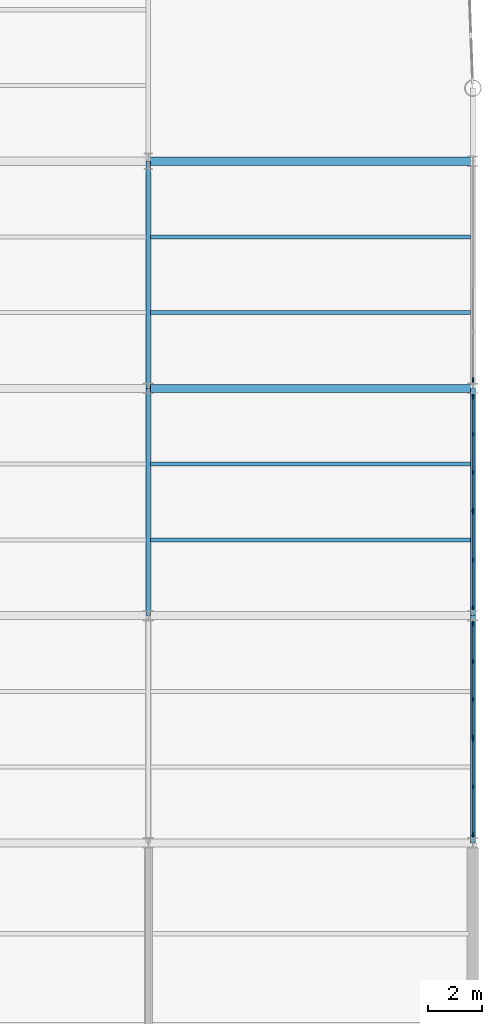
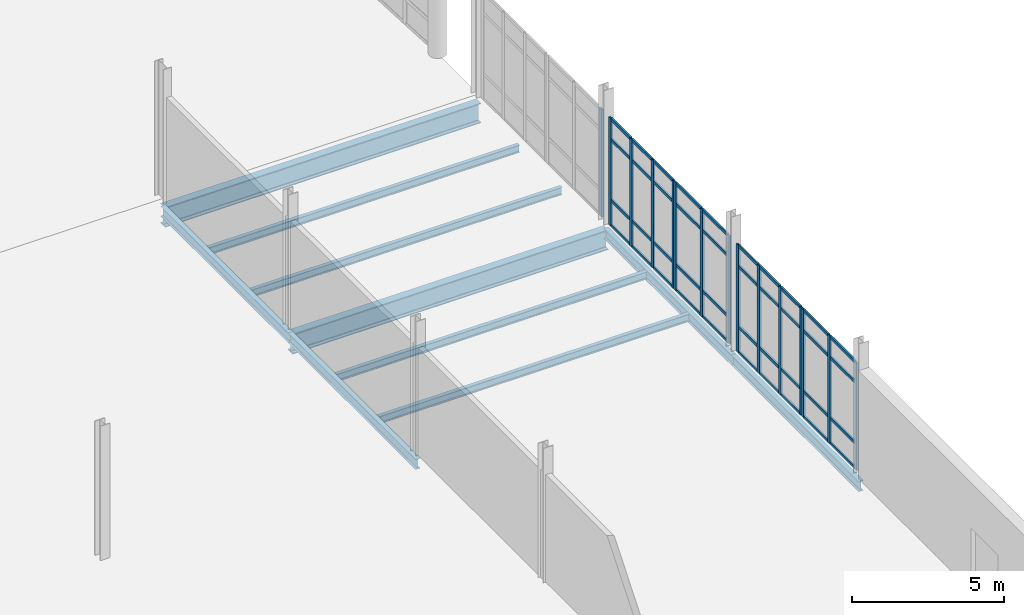
# One storey, part 69 of 111: 55 members, 10 beams, 5 elements without a shape of their own.
"""IFC4 building model written with IfcOpenShell, lengths in metres."""

import ifcopenshell
import ifcopenshell.guid

model = None  # the IFC model being written
_history = None  # IfcOwnerHistory: only IFC2X3 demands one
_inside = {}  # id of a spatial element -> (the spatial element, [elements in it])
_under = {}  # id of a project, library or spatial element -> (it, [spatial elements below it])
_declared = {}  # id of a project -> (the project, [libraries it declares])
_typed = {}  # id of a type object -> (the type object, [elements of that type])
_made_of = {}  # id of a material, layer set ... -> (it, [elements and type objects made of it])


def new_model(schema):
    """Start an empty IFC model of exactly this schema.

    Asked for "IFC4X3", IfcOpenShell would pick the latest addendum, in which some entities
    have other attributes; the version numbers below select the first issue.
    IFC2X3 requires an IfcOwnerHistory on every rooted entity: one is made here for all.
    """
    global model, _history
    if schema == "IFC4X3":
        model = ifcopenshell.file(schema_version=(4, 3, 0, 0))
    else:
        model = ifcopenshell.file(schema=schema)
    _inside.clear()
    _under.clear()
    _declared.clear()
    _typed.clear()
    _made_of.clear()
    _history = None
    if model.schema == "IFC2X3":
        org = make("IfcOrganization", Name="unknown")
        user = make(
            "IfcPersonAndOrganization",
            ThePerson=make("IfcPerson", FamilyName="unknown"),
            TheOrganization=org,
        )
        app = make(
            "IfcApplication",
            ApplicationDeveloper=org,
            Version="unknown",
            ApplicationFullName="unknown",
            ApplicationIdentifier="unknown",
        )
        _history = make(
            "IfcOwnerHistory",
            OwningUser=user,
            OwningApplication=app,
            ChangeAction="ADDED",
            CreationDate=0,
        )
    return model


def make(cls, **values):
    """One entity of the class cls with the attributes given. An attribute that is None is left unset."""
    return model.create_entity(
        cls, **{name: value for name, value in values.items() if value is not None}
    )


def rooted(cls, **values):
    """An entity with a GlobalId (a new one), such as an element, a storey or a relation."""
    return make(cls, GlobalId=ifcopenshell.guid.new(), OwnerHistory=_history, **values)


def si_unit(unit_type, name, prefix=None):
    """IfcSIUnit, for example si_unit("LENGTHUNIT", "METRE", prefix="MILLI")."""
    return make("IfcSIUnit", UnitType=unit_type, Prefix=prefix, Name=name)


def assignment(units):
    """IfcUnitAssignment: the units of a project."""
    return None if units is None else make("IfcUnitAssignment", Units=units)


def point(xyz):
    """IfcCartesianPoint."""
    return None if xyz is None else make("IfcCartesianPoint", Coordinates=xyz)


def direction(xyz):
    """IfcDirection."""
    return None if xyz is None else make("IfcDirection", DirectionRatios=xyz)


def frame(location, z_axis=None, x_axis=None):
    """IfcAxis2Placement3D, a coordinate frame: its origin and axes. An axis left out is left unset."""
    return make(
        "IfcAxis2Placement3D",
        Location=point(location),
        Axis=direction(z_axis),
        RefDirection=direction(x_axis),
    )


def frame_2d(location, x_axis=None):
    """IfcAxis2Placement2D, a coordinate frame in the plane: its origin and x axis."""
    return make(
        "IfcAxis2Placement2D", Location=point(location), RefDirection=direction(x_axis)
    )


def origin():
    """The frame at (0, 0, 0) with its axes left unset."""
    return frame((0.0, 0.0, 0.0))


def origin_2d():
    """The frame at (0, 0) in the plane with its x axis left unset."""
    return frame_2d((0.0, 0.0))


def place(relative_to, where):
    """IfcLocalPlacement: puts the frame where relative to a parent placement (None: the world)."""
    return make(
        "IfcLocalPlacement", PlacementRelTo=relative_to, RelativePlacement=where
    )


def context(
    kind, dimensions, precision=None, world=None, true_north=None, identifier=None
):
    """IfcGeometricRepresentationContext, for example the 3D "Model" context."""
    return make(
        "IfcGeometricRepresentationContext",
        ContextIdentifier=identifier,
        ContextType=kind,
        CoordinateSpaceDimension=dimensions,
        Precision=precision,
        WorldCoordinateSystem=world,
        TrueNorth=true_north,
    )


def subcontext(parent, identifier, kind, view, scale=None):
    """IfcGeometricRepresentationSubContext, for example "Body" below "Model"."""
    return make(
        "IfcGeometricRepresentationSubContext",
        ContextIdentifier=identifier,
        ContextType=kind,
        ParentContext=parent,
        TargetScale=scale,
        TargetView=view,
    )


def project(units=None, contexts=None):
    """IfcProject with its units and contexts."""
    return rooted(
        "IfcProject",
        Name="project",
        RepresentationContexts=contexts,
        UnitsInContext=assignment(units),
    )


def spatial(cls, under=None, at=None, **own):
    """A site, building, storey or space (cls), placed at a placement, below another one or the project."""
    s = rooted(cls, ObjectPlacement=at, **own)
    if under is not None:
        _under.setdefault(under.id(), (under, []))[1].append(s)
    return s


def profile(cls, at=None, kind="AREA", **sizes):
    """A parametric profile (cls). Its sizes go by their IFC names, for example OverallWidth=200.0."""
    return make(cls, ProfileType=kind, Position=at, **sizes)


def rectangle(**sizes):
    """IfcRectangleProfileDef."""
    return profile("IfcRectangleProfileDef", **sizes)


def i_section(**sizes):
    """IfcIShapeProfileDef."""
    return profile("IfcIShapeProfileDef", **sizes)


def extrude(swept, where, along, depth):
    """IfcExtrudedAreaSolid: the profile swept, set in the frame where, extruded along a direction by depth."""
    return make(
        "IfcExtrudedAreaSolid",
        SweptArea=swept,
        Position=where,
        ExtrudedDirection=direction(along),
        Depth=depth,
    )


def shape(context_of_items, identifier, shape_type, items):
    """IfcShapeRepresentation: the items that make up one representation, for example the "Body"."""
    return make(
        "IfcShapeRepresentation",
        ContextOfItems=context_of_items,
        RepresentationIdentifier=identifier,
        RepresentationType=shape_type,
        Items=items,
    )


def material(Name=None, Category=None):
    """IfcMaterial."""
    return make("IfcMaterial", Name=Name, Category=Category)


def layer(
    of_material, thickness, ventilated=None, Name=None, Category=None, Priority=None
):
    """IfcMaterialLayer: one layer of a wall or slab, of a material (None: an air gap)."""
    return make(
        "IfcMaterialLayer",
        Material=of_material,
        LayerThickness=thickness,
        IsVentilated=ventilated,
        Name=Name,
        Category=Category,
        Priority=Priority,
    )


def layer_set(layers, Name=None):
    """IfcMaterialLayerSet."""
    return make("IfcMaterialLayerSet", MaterialLayers=layers, LayerSetName=Name)


def material_profile(
    of_material, cross_section, Name=None, Category=None, Priority=None
):
    """IfcMaterialProfile: a cross section and its material."""
    return make(
        "IfcMaterialProfile",
        Name=Name,
        Material=of_material,
        Profile=cross_section,
        Priority=Priority,
        Category=Category,
    )


def profile_set(profiles, Name=None, composite=None):
    """IfcMaterialProfileSet."""
    return make(
        "IfcMaterialProfileSet",
        Name=Name,
        MaterialProfiles=profiles,
        CompositeProfile=composite,
    )


def made_of(thing, what):
    """Note that an element or type object is made of a material, layer set ...; save() writes the relation."""
    if what is not None:
        _made_of.setdefault(what.id(), (what, []))[1].append(thing)
    return thing


def type_object(cls, material=None, **own):
    """A type object (cls), such as IfcWallType, which elements share."""
    return made_of(rooted(cls, **own), material)


def element(
    cls,
    number,
    at=None,
    inside=None,
    cuts=None,
    type_object=None,
    material=None,
    context=None,
    identifier="Body",
    shape_type=None,
    held_by="IfcProductDefinitionShape",
    body=None,
    shapes=None,
    **own,
):
    """One element of the class cls, such as IfcWall. Its Tag is "e" and its number.

    at: its placement. inside: the storey or other place that contains it. cuts: it is an
    opening in that element (IfcRelVoidsElement). A single representation is given by context,
    identifier, shape_type and body (its items); several are given by shapes. held_by: the class
    of the entity that holds the representations. save() writes the other relations.
    """
    e = rooted(cls, Tag="e%d" % number, ObjectPlacement=at, **own)
    if body is not None:
        shapes = [shape(context, identifier, shape_type, body)]
    if shapes is not None:
        e.Representation = make(held_by, Representations=shapes)
    if inside is not None:
        _inside.setdefault(inside.id(), (inside, []))[1].append(e)
    if cuts is not None:
        rooted(
            "IfcRelVoidsElement", RelatingBuildingElement=cuts, RelatedOpeningElement=e
        )
    if type_object is not None:
        _typed.setdefault(type_object.id(), (type_object, []))[1].append(e)
    return made_of(e, material)


def aggregate(whole, parts):
    """IfcRelAggregates: a whole, such as a stair, and the parts it consists of."""
    return rooted("IfcRelAggregates", RelatingObject=whole, RelatedObjects=parts)


def save(model, path):
    """Write the relations noted so far, then the file.

    IfcRelAggregates (storeys below a building ...), IfcRelContainedInSpatialStructure (elements
    in a storey), IfcRelDefinesByType, IfcRelAssociatesMaterial and IfcRelDeclares: one each for
    every whole, place, type object, material and project.
    """
    for whole, parts in _under.values():
        aggregate(whole, parts)
    for where, things in _inside.values():
        rooted(
            "IfcRelContainedInSpatialStructure",
            RelatedElements=things,
            RelatingStructure=where,
        )
    for kind, things in _typed.values():
        rooted("IfcRelDefinesByType", RelatedObjects=things, RelatingType=kind)
    for what, things in _made_of.values():
        rooted("IfcRelAssociatesMaterial", RelatedObjects=things, RelatingMaterial=what)
    for by, libraries in _declared.values():
        rooted("IfcRelDeclares", RelatingContext=by, RelatedDefinitions=libraries)
    model.write(path)


model = new_model("IFC4")

# Units and contexts
model_context = context("Model", 3, precision=1e-05, world=origin(), true_north=direction((0.0, 1.0)))
body_context = subcontext(model_context, "Body", "Model", "MODEL_VIEW")
ifc_project = project(units=[si_unit("LENGTHUNIT", "METRE"), si_unit("AREAUNIT", "SQUARE_METRE"), si_unit("VOLUMEUNIT", "CUBIC_METRE"), si_unit("PLANEANGLEUNIT", "RADIAN"), si_unit("MASSUNIT", "GRAM", prefix="KILO"), si_unit("THERMODYNAMICTEMPERATUREUNIT", "KELVIN"), si_unit("POWERUNIT", "WATT")], contexts=[model_context])

# Site, building, storey
site_placement = place(None, origin())
site = spatial("IfcSite", under=ifc_project, at=site_placement, CompositionType="ELEMENT")
building_placement = place(site_placement, origin())
building = spatial("IfcBuilding", under=site, at=building_placement, Name="Tembeka Court Mobility Hub", CompositionType="ELEMENT")
storey_placement = place(building_placement, origin())
storey = spatial("IfcBuildingStorey", under=building, at=storey_placement, Name="L00", CompositionType="ELEMENT", Elevation=0.0)

# Beams
ifc_material_1 = material(Name="Steel S355", Category="steel")
ifc_material_profile_1 = material_profile(ifc_material_1, i_section(OverallWidth=0.177978515625, OverallDepth=0.406005859375, WebThickness=0.0078125, FlangeThickness=0.0126953125, FilletRadius=0.01025390625, at=origin_2d()), Name="UKB 406x178x60")
ifc_profile_set_1 = profile_set([ifc_material_profile_1], Name="Steel S355")
beam_type_1 = type_object("IfcBeamType", Name="BM-B02", PredefinedType="BEAM", material=ifc_profile_set_1)
beam_1_placement = place(storey_placement, frame((164.39990234375, 46.800048828125, -0.48291015625), z_axis=(0.0, 1.0, 0.0), x_axis=(-1.0, 0.0, 0.0)))
element("IfcBeam", 1, at=beam_1_placement, inside=storey, type_object=beam_type_1, Name="Beam B02 (BM-L00-Y0314)", PredefinedType="BEAM", context=body_context, shape_type="SweptSolid", body=[
    extrude(i_section(OverallWidth=0.177978515625, OverallDepth=0.406005859375, WebThickness=0.0078125, FlangeThickness=0.0126953125, FilletRadius=0.01025390625, at=origin_2d()), origin(), (0.0, 0.0, 1.0), 8.39990234375),
])
for number, where, z_axis, x_axis, name in (
    (2, (164.39990234375, 55.199951171875, -0.48291015625), (0.0, 1.0, 0.0), (-1.0, 0.0, 0.0), "Beam B02 (BM-L00-Y0315)"),
    (3, (176.39990234375, 38.39990234375, -0.48291015625), (0.0, 1.0, 0.0), (-1.0, 0.0, 0.0), "Beam B02 (BM-L00-Y0322)"),
):
    element("IfcBeam", number, at=place(storey_placement, frame(where, z_axis=z_axis, x_axis=x_axis)), inside=storey, type_object=beam_type_1, Name=name, PredefinedType="BEAM", context=body_context, shape_type="SweptSolid", body=[
        extrude(i_section(OverallWidth=0.177978515625, OverallDepth=0.406005859375, WebThickness=0.0078125, FlangeThickness=0.0126953125, FilletRadius=0.01025390625, at=origin_2d()), origin(), (0.0, 0.0, 1.0), 8.400146484375),
    ])
beam_2_placement = place(storey_placement, frame((176.39990234375, 46.800048828125, -0.48291015625), z_axis=(0.0, 1.0, 0.0), x_axis=(-1.0, 0.0, 0.0)))
element("IfcBeam", 4, at=beam_2_placement, inside=storey, type_object=beam_type_1, Name="Beam B02 (BM-L00-Y0323)", PredefinedType="BEAM", context=body_context, shape_type="SweptSolid", body=[
    extrude(i_section(OverallWidth=0.177978515625, OverallDepth=0.406005859375, WebThickness=0.0078125, FlangeThickness=0.0126953125, FilletRadius=0.01025390625, at=origin_2d()), origin(), (0.0, 0.0, 1.0), 8.39990234375),
])
ifc_material_profile_2 = material_profile(ifc_material_1, i_section(OverallWidth=0.300048828125, OverallDepth=0.800048828125, WebThickness=0.017578125, FlangeThickness=0.034912109375, FilletRadius=0.030029296875, at=origin_2d()), Name="HEB 800")
ifc_profile_set_2 = profile_set([ifc_material_profile_2], Name="Steel S355")
beam_type_2 = type_object("IfcBeamType", Name="BM-G04", PredefinedType="USERDEFINED", material=ifc_profile_set_2)
for number, where, z_axis, x_axis, name in (
    (5, (164.39990234375, 55.199951171875, -0.679931640625), (1.0, 0.0, 0.0), (0.0, 1.0, 0.0), "Beam G04 (BM-L00-X0089)"),
    (6, (164.39990234375, 63.60009765625, -0.679931640625), (1.0, 0.0, 0.0), (0.0, 1.0, 0.0), "Beam G04 (BM-L00-X0106)"),
):
    element("IfcBeam", number, at=place(storey_placement, frame(where, z_axis=z_axis, x_axis=x_axis)), inside=storey, type_object=beam_type_2, Name=name, ObjectType="GIRDER", PredefinedType="USERDEFINED", context=body_context, shape_type="SweptSolid", body=[
        extrude(i_section(OverallWidth=0.300048828125, OverallDepth=0.800048828125, WebThickness=0.017578125, FlangeThickness=0.034912109375, FilletRadius=0.030029296875, at=origin_2d()), origin(), (0.0, 0.0, 1.0), 12.0),
    ])
ifc_material_profile_3 = material_profile(ifc_material_1, i_section(OverallWidth=0.14990234375, OverallDepth=0.300048828125, WebThickness=0.007080078125, FlangeThickness=0.0107421875, FilletRadius=0.014892578125, at=origin_2d()), Name="IPE 300")
ifc_profile_set_3 = profile_set([ifc_material_profile_3], Name="Steel S355")
beam_type_3 = type_object("IfcBeamType", Name="BM-J04", PredefinedType="JOIST", material=ifc_profile_set_3)
for number, where, z_axis, x_axis, name in (
    (7, (164.48388671875, 49.60009765625, -0.429931640625), (1.0, 0.0, 0.0), (0.0, 1.0, 0.0), "Beam J04 (JST-L00-0601)"),
    (8, (164.48388671875, 52.39990234375, -0.429931640625), (1.0, 0.0, 0.0), (0.0, 1.0, 0.0), "Beam J04 (JST-L00-0602)"),
    (9, (164.48388671875, 58.0, -0.429931640625), (1.0, 0.0, 0.0), (0.0, 1.0, 0.0), "Beam J04 (JST-L00-0603)"),
    (10, (164.48388671875, 60.800048828125, -0.429931640625), (1.0, 0.0, 0.0), (0.0, 1.0, 0.0), "Beam J04 (JST-L00-0604)"),
):
    element("IfcBeam", number, at=place(storey_placement, frame(where, z_axis=z_axis, x_axis=x_axis)), inside=storey, type_object=beam_type_3, Name=name, PredefinedType="JOIST", context=body_context, shape_type="SweptSolid", body=[
        extrude(i_section(OverallWidth=0.14990234375, OverallDepth=0.300048828125, WebThickness=0.007080078125, FlangeThickness=0.0107421875, FilletRadius=0.014892578125, at=origin_2d()), origin(), (0.0, 0.0, 1.0), 11.83203125),
    ])

# Curtain wall, members
ifc_material_2 = material(Name="Anodised aluminium 6063-T6", Category="aluminium")
ifc_layer_1 = layer(ifc_material_2, 0.159912109375)
ifc_layer_set_1 = layer_set([ifc_layer_1], Name="Anodised aluminium 6063-T6")
curtain_wall_type_1 = type_object("IfcCurtainWallType", Name="CW-SYS04", PredefinedType="USERDEFINED", material=ifc_layer_set_1)
curtain_wall_1_placement = place(storey_placement, origin())
curtain_wall_1 = element("IfcCurtainWall", 11, at=curtain_wall_1_placement, inside=storey, type_object=curtain_wall_type_1, Name="Unitised curtain wall CW04 (CW-L00-095)", ObjectType="UNITISED GLAZING", PredefinedType="USERDEFINED")
ifc_material_profile_4 = material_profile(ifc_material_2, rectangle(XDim=0.06494140625, YDim=0.159912109375, at=origin_2d()), Name="ALU-MUL 65x160")
ifc_profile_set_4 = profile_set([ifc_material_profile_4], Name="Anodised aluminium 6063-T6")
member_type_1 = type_object("IfcMemberType", Name="CW-MUL01", PredefinedType="MULLION", material=ifc_profile_set_4)
member_1_placement = place(storey_placement, frame((176.39990234375, 38.71240234375, 0.0), z_axis=(0.0, 0.0, 1.0), x_axis=(-1.0, 0.0, 0.0)))
member_1 = element("IfcMember", 12, at=member_1_placement, type_object=member_type_1, Name="CW04 mullion 1", PredefinedType="MULLION", context=body_context, shape_type="SweptSolid", body=[
    extrude(rectangle(XDim=0.06494140625, YDim=0.159912109375, at=origin_2d()), origin(), (0.0, 0.0, 1.0), 4.3349609375),
])
member_2_placement = place(storey_placement, frame((176.39990234375, 40.4619140625, 0.0), z_axis=(0.0, 0.0, 1.0), x_axis=(-1.0, 0.0, 0.0)))
member_2 = element("IfcMember", 13, at=member_2_placement, type_object=member_type_1, Name="CW04 mullion 2", PredefinedType="MULLION", context=body_context, shape_type="SweptSolid", body=[
    extrude(rectangle(XDim=0.06494140625, YDim=0.159912109375, at=origin_2d()), origin(), (0.0, 0.0, 1.0), 4.3349609375),
])
member_3_placement = place(storey_placement, frame((176.39990234375, 42.21142578125, 0.0), z_axis=(0.0, 0.0, 1.0), x_axis=(-1.0, 0.0, 0.0)))
member_3 = element("IfcMember", 14, at=member_3_placement, type_object=member_type_1, Name="CW04 mullion 3", PredefinedType="MULLION", context=body_context, shape_type="SweptSolid", body=[
    extrude(rectangle(XDim=0.06494140625, YDim=0.159912109375, at=origin_2d()), origin(), (0.0, 0.0, 1.0), 4.3349609375),
])

ifc_layer_2 = layer(ifc_material_2, 0.159912109375)
ifc_layer_set_2 = layer_set([ifc_layer_2], Name="Anodised aluminium 6063-T6")
curtain_wall_type_2 = type_object("IfcCurtainWallType", Name="CW-SYS05", PredefinedType="USERDEFINED", material=ifc_layer_set_2)
curtain_wall_2_placement = place(storey_placement, origin())
curtain_wall_2 = element("IfcCurtainWall", 15, at=curtain_wall_2_placement, inside=storey, type_object=curtain_wall_type_2, Name="Unitised curtain wall CW05 (CW-L00-096)", ObjectType="UNITISED GLAZING", PredefinedType="USERDEFINED")
member_4_placement = place(storey_placement, frame((176.39990234375, 42.31640625, 0.0), z_axis=(0.0, 0.0, 1.0), x_axis=(-1.0, 0.0, 0.0)))
member_4 = element("IfcMember", 16, at=member_4_placement, type_object=member_type_1, Name="CW05 mullion 1", PredefinedType="MULLION", context=body_context, shape_type="SweptSolid", body=[
    extrude(rectangle(XDim=0.06494140625, YDim=0.159912109375, at=origin_2d()), origin(), (0.0, 0.0, 1.0), 4.3349609375),
])
member_5_placement = place(storey_placement, frame((176.39990234375, 43.696044921875, 0.0), z_axis=(0.0, 0.0, 1.0), x_axis=(-1.0, 0.0, 0.0)))
member_5 = element("IfcMember", 17, at=member_5_placement, type_object=member_type_1, Name="CW05 mullion 2", PredefinedType="MULLION", context=body_context, shape_type="SweptSolid", body=[
    extrude(rectangle(XDim=0.06494140625, YDim=0.159912109375, at=origin_2d()), origin(), (0.0, 0.0, 1.0), 4.3349609375),
])
member_6_placement = place(storey_placement, frame((176.39990234375, 45.10791015625, 0.0), z_axis=(0.0, 0.0, 1.0), x_axis=(-1.0, 0.0, 0.0)))
member_6 = element("IfcMember", 18, at=member_6_placement, type_object=member_type_1, Name="CW05 mullion 3", PredefinedType="MULLION", context=body_context, shape_type="SweptSolid", body=[
    extrude(rectangle(XDim=0.06494140625, YDim=0.159912109375, at=origin_2d()), origin(), (0.0, 0.0, 1.0), 4.3349609375),
])
member_7_placement = place(storey_placement, frame((176.39990234375, 46.487548828125, 0.0), z_axis=(0.0, 0.0, 1.0), x_axis=(-1.0, 0.0, 0.0)))
member_7 = element("IfcMember", 19, at=member_7_placement, type_object=member_type_1, Name="CW05 mullion 4", PredefinedType="MULLION", context=body_context, shape_type="SweptSolid", body=[
    extrude(rectangle(XDim=0.06494140625, YDim=0.159912109375, at=origin_2d()), origin(), (0.0, 0.0, 1.0), 4.3349609375),
])

curtain_wall_3_placement = place(storey_placement, origin())
curtain_wall_3 = element("IfcCurtainWall", 20, at=curtain_wall_3_placement, inside=storey, type_object=curtain_wall_type_1, Name="Unitised curtain wall CW04 (CW-L00-097)", ObjectType="UNITISED GLAZING", PredefinedType="USERDEFINED")
member_8_placement = place(storey_placement, frame((176.39990234375, 47.112548828125, 0.0), z_axis=(0.0, 0.0, 1.0), x_axis=(-1.0, 0.0, 0.0)))
member_8 = element("IfcMember", 21, at=member_8_placement, type_object=member_type_1, Name="CW04 mullion 1", PredefinedType="MULLION", context=body_context, shape_type="SweptSolid", body=[
    extrude(rectangle(XDim=0.06494140625, YDim=0.159912109375, at=origin_2d()), origin(), (0.0, 0.0, 1.0), 4.3349609375),
])
member_9_placement = place(storey_placement, frame((176.39990234375, 48.862060546875, 0.0), z_axis=(0.0, 0.0, 1.0), x_axis=(-1.0, 0.0, 0.0)))
member_9 = element("IfcMember", 22, at=member_9_placement, type_object=member_type_1, Name="CW04 mullion 2", PredefinedType="MULLION", context=body_context, shape_type="SweptSolid", body=[
    extrude(rectangle(XDim=0.06494140625, YDim=0.159912109375, at=origin_2d()), origin(), (0.0, 0.0, 1.0), 4.3349609375),
])
member_10_placement = place(storey_placement, frame((176.39990234375, 50.611572265625, 0.0), z_axis=(0.0, 0.0, 1.0), x_axis=(-1.0, 0.0, 0.0)))
member_10 = element("IfcMember", 23, at=member_10_placement, type_object=member_type_1, Name="CW04 mullion 3", PredefinedType="MULLION", context=body_context, shape_type="SweptSolid", body=[
    extrude(rectangle(XDim=0.06494140625, YDim=0.159912109375, at=origin_2d()), origin(), (0.0, 0.0, 1.0), 4.3349609375),
])

curtain_wall_4_placement = place(storey_placement, origin())
curtain_wall_4 = element("IfcCurtainWall", 24, at=curtain_wall_4_placement, inside=storey, type_object=curtain_wall_type_2, Name="Unitised curtain wall CW05 (CW-L00-098)", ObjectType="UNITISED GLAZING", PredefinedType="USERDEFINED")
member_11_placement = place(storey_placement, frame((176.39990234375, 50.716552734375, 0.0), z_axis=(0.0, 0.0, 1.0), x_axis=(-1.0, 0.0, 0.0)))
member_11 = element("IfcMember", 25, at=member_11_placement, type_object=member_type_1, Name="CW05 mullion 1", PredefinedType="MULLION", context=body_context, shape_type="SweptSolid", body=[
    extrude(rectangle(XDim=0.06494140625, YDim=0.159912109375, at=origin_2d()), origin(), (0.0, 0.0, 1.0), 4.3349609375),
])
member_12_placement = place(storey_placement, frame((176.39990234375, 52.095947265625, 0.0), z_axis=(0.0, 0.0, 1.0), x_axis=(-1.0, 0.0, 0.0)))
member_12 = element("IfcMember", 26, at=member_12_placement, type_object=member_type_1, Name="CW05 mullion 2", PredefinedType="MULLION", context=body_context, shape_type="SweptSolid", body=[
    extrude(rectangle(XDim=0.06494140625, YDim=0.159912109375, at=origin_2d()), origin(), (0.0, 0.0, 1.0), 4.3349609375),
])
member_13_placement = place(storey_placement, frame((176.39990234375, 53.508056640625, 0.0), z_axis=(0.0, 0.0, 1.0), x_axis=(-1.0, 0.0, 0.0)))
member_13 = element("IfcMember", 27, at=member_13_placement, type_object=member_type_1, Name="CW05 mullion 3", PredefinedType="MULLION", context=body_context, shape_type="SweptSolid", body=[
    extrude(rectangle(XDim=0.06494140625, YDim=0.159912109375, at=origin_2d()), origin(), (0.0, 0.0, 1.0), 4.3349609375),
])
member_14_placement = place(storey_placement, frame((176.39990234375, 54.887451171875, 0.0), z_axis=(0.0, 0.0, 1.0), x_axis=(-1.0, 0.0, 0.0)))
member_14 = element("IfcMember", 28, at=member_14_placement, type_object=member_type_1, Name="CW05 mullion 4", PredefinedType="MULLION", context=body_context, shape_type="SweptSolid", body=[
    extrude(rectangle(XDim=0.06494140625, YDim=0.159912109375, at=origin_2d()), origin(), (0.0, 0.0, 1.0), 4.3349609375),
])

# Curtain wall, member
curtain_wall_5_placement = place(storey_placement, origin())
curtain_wall_5 = element("IfcCurtainWall", 29, at=curtain_wall_5_placement, inside=storey, type_object=curtain_wall_type_1, Name="Unitised curtain wall CW04 (CW-L00-099)", ObjectType="UNITISED GLAZING", PredefinedType="USERDEFINED")
member_15_placement = place(storey_placement, frame((176.39990234375, 55.512451171875, 0.0), z_axis=(0.0, 0.0, 1.0), x_axis=(-1.0, 0.0, 0.0)))
member_15 = element("IfcMember", 30, at=member_15_placement, type_object=member_type_1, Name="CW04 mullion 1", PredefinedType="MULLION", context=body_context, shape_type="SweptSolid", body=[
    extrude(rectangle(XDim=0.06494140625, YDim=0.159912109375, at=origin_2d()), origin(), (0.0, 0.0, 1.0), 4.3349609375),
])
aggregate(curtain_wall_5, [member_15])

# Member
ifc_material_profile_5 = material_profile(ifc_material_2, rectangle(XDim=0.06494140625, YDim=0.1201171875, at=origin_2d()), Name="ALU-TRN 65x120")
ifc_profile_set_5 = profile_set([ifc_material_profile_5], Name="Anodised aluminium 6063-T6")
member_type_2 = type_object("IfcMemberType", Name="CW-TRN01", PredefinedType="USERDEFINED", material=ifc_profile_set_5)
member_16_placement = place(storey_placement, frame((176.39990234375, 38.7451171875, 0.032470703125), z_axis=(0.0, 1.0, 0.0), x_axis=(-1.0, 0.0, 0.0)))
member_16 = element("IfcMember", 31, at=member_16_placement, type_object=member_type_2, Name="CW04 transom 1.1", ObjectType="TRANSOM", PredefinedType="USERDEFINED", context=body_context, shape_type="SweptSolid", body=[
    extrude(rectangle(XDim=0.06494140625, YDim=0.1201171875, at=origin_2d()), origin(), (0.0, 0.0, 1.0), 1.684326171875),
])

member_17_placement = place(storey_placement, frame((176.39990234375, 38.7451171875, 1.050048828125), z_axis=(0.0, 1.0, 0.0), x_axis=(-1.0, 0.0, 0.0)))
member_17 = element("IfcMember", 32, at=member_17_placement, type_object=member_type_2, Name="CW04 transom 1.2", ObjectType="TRANSOM", PredefinedType="USERDEFINED", context=body_context, shape_type="SweptSolid", body=[
    extrude(rectangle(XDim=0.06494140625, YDim=0.1201171875, at=origin_2d()), origin(), (0.0, 0.0, 1.0), 1.684326171875),
])

member_18_placement = place(storey_placement, frame((176.39990234375, 38.7451171875, 3.485107421875), z_axis=(0.0, 1.0, 0.0), x_axis=(-1.0, 0.0, 0.0)))
member_18 = element("IfcMember", 33, at=member_18_placement, type_object=member_type_2, Name="CW04 transom 1.3", ObjectType="TRANSOM", PredefinedType="USERDEFINED", context=body_context, shape_type="SweptSolid", body=[
    extrude(rectangle(XDim=0.06494140625, YDim=0.1201171875, at=origin_2d()), origin(), (0.0, 0.0, 1.0), 1.684326171875),
])

member_19_placement = place(storey_placement, frame((176.39990234375, 38.7451171875, 4.302490234375), z_axis=(0.0, 1.0, 0.0), x_axis=(-1.0, 0.0, 0.0)))
member_19 = element("IfcMember", 34, at=member_19_placement, type_object=member_type_2, Name="CW04 transom 1.4", ObjectType="TRANSOM", PredefinedType="USERDEFINED", context=body_context, shape_type="SweptSolid", body=[
    extrude(rectangle(XDim=0.06494140625, YDim=0.1201171875, at=origin_2d()), origin(), (0.0, 0.0, 1.0), 1.684326171875),
])

member_20_placement = place(storey_placement, frame((176.39990234375, 40.494384765625, 0.032470703125), z_axis=(0.0, 1.0, 0.0), x_axis=(-1.0, 0.0, 0.0)))
member_20 = element("IfcMember", 35, at=member_20_placement, type_object=member_type_2, Name="CW04 transom 2.1", ObjectType="TRANSOM", PredefinedType="USERDEFINED", context=body_context, shape_type="SweptSolid", body=[
    extrude(rectangle(XDim=0.06494140625, YDim=0.1201171875, at=origin_2d()), origin(), (0.0, 0.0, 1.0), 1.6845703125),
])

member_21_placement = place(storey_placement, frame((176.39990234375, 40.494384765625, 1.050048828125), z_axis=(0.0, 1.0, 0.0), x_axis=(-1.0, 0.0, 0.0)))
member_21 = element("IfcMember", 36, at=member_21_placement, type_object=member_type_2, Name="CW04 transom 2.2", ObjectType="TRANSOM", PredefinedType="USERDEFINED", context=body_context, shape_type="SweptSolid", body=[
    extrude(rectangle(XDim=0.06494140625, YDim=0.1201171875, at=origin_2d()), origin(), (0.0, 0.0, 1.0), 1.6845703125),
])

member_22_placement = place(storey_placement, frame((176.39990234375, 40.494384765625, 3.485107421875), z_axis=(0.0, 1.0, 0.0), x_axis=(-1.0, 0.0, 0.0)))
member_22 = element("IfcMember", 37, at=member_22_placement, type_object=member_type_2, Name="CW04 transom 2.3", ObjectType="TRANSOM", PredefinedType="USERDEFINED", context=body_context, shape_type="SweptSolid", body=[
    extrude(rectangle(XDim=0.06494140625, YDim=0.1201171875, at=origin_2d()), origin(), (0.0, 0.0, 1.0), 1.6845703125),
])

member_23_placement = place(storey_placement, frame((176.39990234375, 40.494384765625, 4.302490234375), z_axis=(0.0, 1.0, 0.0), x_axis=(-1.0, 0.0, 0.0)))
member_23 = element("IfcMember", 38, at=member_23_placement, type_object=member_type_2, Name="CW04 transom 2.4", ObjectType="TRANSOM", PredefinedType="USERDEFINED", context=body_context, shape_type="SweptSolid", body=[
    extrude(rectangle(XDim=0.06494140625, YDim=0.1201171875, at=origin_2d()), origin(), (0.0, 0.0, 1.0), 1.6845703125),
])

aggregate(curtain_wall_1, [member_1, member_2, member_3, member_16, member_17, member_18, member_19, member_20, member_21, member_22, member_23])

member_24_placement = place(storey_placement, frame((176.39990234375, 42.34912109375, 0.032470703125), z_axis=(0.0, 1.0, 0.0), x_axis=(-1.0, 0.0, 0.0)))
member_24 = element("IfcMember", 39, at=member_24_placement, type_object=member_type_2, Name="CW05 transom 1.1", ObjectType="TRANSOM", PredefinedType="USERDEFINED", context=body_context, shape_type="SweptSolid", body=[
    extrude(rectangle(XDim=0.06494140625, YDim=0.1201171875, at=origin_2d()), origin(), (0.0, 0.0, 1.0), 1.314453125),
])

member_25_placement = place(storey_placement, frame((176.39990234375, 42.34912109375, 1.050048828125), z_axis=(0.0, 1.0, 0.0), x_axis=(-1.0, 0.0, 0.0)))
member_25 = element("IfcMember", 40, at=member_25_placement, type_object=member_type_2, Name="CW05 transom 1.2", ObjectType="TRANSOM", PredefinedType="USERDEFINED", context=body_context, shape_type="SweptSolid", body=[
    extrude(rectangle(XDim=0.06494140625, YDim=0.1201171875, at=origin_2d()), origin(), (0.0, 0.0, 1.0), 1.314453125),
])

member_26_placement = place(storey_placement, frame((176.39990234375, 42.34912109375, 3.485107421875), z_axis=(0.0, 1.0, 0.0), x_axis=(-1.0, 0.0, 0.0)))
member_26 = element("IfcMember", 41, at=member_26_placement, type_object=member_type_2, Name="CW05 transom 1.3", ObjectType="TRANSOM", PredefinedType="USERDEFINED", context=body_context, shape_type="SweptSolid", body=[
    extrude(rectangle(XDim=0.06494140625, YDim=0.1201171875, at=origin_2d()), origin(), (0.0, 0.0, 1.0), 1.314453125),
])

member_27_placement = place(storey_placement, frame((176.39990234375, 42.34912109375, 4.302490234375), z_axis=(0.0, 1.0, 0.0), x_axis=(-1.0, 0.0, 0.0)))
member_27 = element("IfcMember", 42, at=member_27_placement, type_object=member_type_2, Name="CW05 transom 1.4", ObjectType="TRANSOM", PredefinedType="USERDEFINED", context=body_context, shape_type="SweptSolid", body=[
    extrude(rectangle(XDim=0.06494140625, YDim=0.1201171875, at=origin_2d()), origin(), (0.0, 0.0, 1.0), 1.314453125),
])

member_28_placement = place(storey_placement, frame((176.39990234375, 43.728515625, 0.032470703125), z_axis=(0.0, 1.0, 0.0), x_axis=(-1.0, 0.0, 0.0)))
member_28 = element("IfcMember", 43, at=member_28_placement, type_object=member_type_2, Name="CW05 transom 2.1", ObjectType="TRANSOM", PredefinedType="USERDEFINED", context=body_context, shape_type="SweptSolid", body=[
    extrude(rectangle(XDim=0.06494140625, YDim=0.1201171875, at=origin_2d()), origin(), (0.0, 0.0, 1.0), 1.346923828125),
])

member_29_placement = place(storey_placement, frame((176.39990234375, 43.728515625, 1.050048828125), z_axis=(0.0, 1.0, 0.0), x_axis=(-1.0, 0.0, 0.0)))
member_29 = element("IfcMember", 44, at=member_29_placement, type_object=member_type_2, Name="CW05 transom 2.2", ObjectType="TRANSOM", PredefinedType="USERDEFINED", context=body_context, shape_type="SweptSolid", body=[
    extrude(rectangle(XDim=0.06494140625, YDim=0.1201171875, at=origin_2d()), origin(), (0.0, 0.0, 1.0), 1.346923828125),
])

member_30_placement = place(storey_placement, frame((176.39990234375, 43.728515625, 3.485107421875), z_axis=(0.0, 1.0, 0.0), x_axis=(-1.0, 0.0, 0.0)))
member_30 = element("IfcMember", 45, at=member_30_placement, type_object=member_type_2, Name="CW05 transom 2.3", ObjectType="TRANSOM", PredefinedType="USERDEFINED", context=body_context, shape_type="SweptSolid", body=[
    extrude(rectangle(XDim=0.06494140625, YDim=0.1201171875, at=origin_2d()), origin(), (0.0, 0.0, 1.0), 1.346923828125),
])

member_31_placement = place(storey_placement, frame((176.39990234375, 43.728515625, 4.302490234375), z_axis=(0.0, 1.0, 0.0), x_axis=(-1.0, 0.0, 0.0)))
member_31 = element("IfcMember", 46, at=member_31_placement, type_object=member_type_2, Name="CW05 transom 2.4", ObjectType="TRANSOM", PredefinedType="USERDEFINED", context=body_context, shape_type="SweptSolid", body=[
    extrude(rectangle(XDim=0.06494140625, YDim=0.1201171875, at=origin_2d()), origin(), (0.0, 0.0, 1.0), 1.346923828125),
])

member_32_placement = place(storey_placement, frame((176.39990234375, 45.140380859375, 0.032470703125), z_axis=(0.0, 1.0, 0.0), x_axis=(-1.0, 0.0, 0.0)))
member_32 = element("IfcMember", 47, at=member_32_placement, type_object=member_type_2, Name="CW05 transom 3.1", ObjectType="TRANSOM", PredefinedType="USERDEFINED", context=body_context, shape_type="SweptSolid", body=[
    extrude(rectangle(XDim=0.06494140625, YDim=0.1201171875, at=origin_2d()), origin(), (0.0, 0.0, 1.0), 1.314697265625),
])

member_33_placement = place(storey_placement, frame((176.39990234375, 45.140380859375, 1.050048828125), z_axis=(0.0, 1.0, 0.0), x_axis=(-1.0, 0.0, 0.0)))
member_33 = element("IfcMember", 48, at=member_33_placement, type_object=member_type_2, Name="CW05 transom 3.2", ObjectType="TRANSOM", PredefinedType="USERDEFINED", context=body_context, shape_type="SweptSolid", body=[
    extrude(rectangle(XDim=0.06494140625, YDim=0.1201171875, at=origin_2d()), origin(), (0.0, 0.0, 1.0), 1.314697265625),
])

member_34_placement = place(storey_placement, frame((176.39990234375, 45.140380859375, 3.485107421875), z_axis=(0.0, 1.0, 0.0), x_axis=(-1.0, 0.0, 0.0)))
member_34 = element("IfcMember", 49, at=member_34_placement, type_object=member_type_2, Name="CW05 transom 3.3", ObjectType="TRANSOM", PredefinedType="USERDEFINED", context=body_context, shape_type="SweptSolid", body=[
    extrude(rectangle(XDim=0.06494140625, YDim=0.1201171875, at=origin_2d()), origin(), (0.0, 0.0, 1.0), 1.314697265625),
])

member_35_placement = place(storey_placement, frame((176.39990234375, 45.140380859375, 4.302490234375), z_axis=(0.0, 1.0, 0.0), x_axis=(-1.0, 0.0, 0.0)))
member_35 = element("IfcMember", 50, at=member_35_placement, type_object=member_type_2, Name="CW05 transom 3.4", ObjectType="TRANSOM", PredefinedType="USERDEFINED", context=body_context, shape_type="SweptSolid", body=[
    extrude(rectangle(XDim=0.06494140625, YDim=0.1201171875, at=origin_2d()), origin(), (0.0, 0.0, 1.0), 1.314697265625),
])

aggregate(curtain_wall_2, [member_4, member_5, member_6, member_7, member_24, member_25, member_26, member_27, member_28, member_29, member_30, member_31, member_32, member_33, member_34, member_35])

member_36_placement = place(storey_placement, frame((176.39990234375, 47.14501953125, 0.032470703125), z_axis=(0.0, 1.0, 0.0), x_axis=(-1.0, 0.0, 0.0)))
member_36 = element("IfcMember", 51, at=member_36_placement, type_object=member_type_2, Name="CW04 transom 1.1", ObjectType="TRANSOM", PredefinedType="USERDEFINED", context=body_context, shape_type="SweptSolid", body=[
    extrude(rectangle(XDim=0.06494140625, YDim=0.1201171875, at=origin_2d()), origin(), (0.0, 0.0, 1.0), 1.6845703125),
])

member_37_placement = place(storey_placement, frame((176.39990234375, 47.14501953125, 1.050048828125), z_axis=(0.0, 1.0, 0.0), x_axis=(-1.0, 0.0, 0.0)))
member_37 = element("IfcMember", 52, at=member_37_placement, type_object=member_type_2, Name="CW04 transom 1.2", ObjectType="TRANSOM", PredefinedType="USERDEFINED", context=body_context, shape_type="SweptSolid", body=[
    extrude(rectangle(XDim=0.06494140625, YDim=0.1201171875, at=origin_2d()), origin(), (0.0, 0.0, 1.0), 1.6845703125),
])

member_38_placement = place(storey_placement, frame((176.39990234375, 47.14501953125, 3.485107421875), z_axis=(0.0, 1.0, 0.0), x_axis=(-1.0, 0.0, 0.0)))
member_38 = element("IfcMember", 53, at=member_38_placement, type_object=member_type_2, Name="CW04 transom 1.3", ObjectType="TRANSOM", PredefinedType="USERDEFINED", context=body_context, shape_type="SweptSolid", body=[
    extrude(rectangle(XDim=0.06494140625, YDim=0.1201171875, at=origin_2d()), origin(), (0.0, 0.0, 1.0), 1.6845703125),
])

member_39_placement = place(storey_placement, frame((176.39990234375, 47.14501953125, 4.302490234375), z_axis=(0.0, 1.0, 0.0), x_axis=(-1.0, 0.0, 0.0)))
member_39 = element("IfcMember", 54, at=member_39_placement, type_object=member_type_2, Name="CW04 transom 1.4", ObjectType="TRANSOM", PredefinedType="USERDEFINED", context=body_context, shape_type="SweptSolid", body=[
    extrude(rectangle(XDim=0.06494140625, YDim=0.1201171875, at=origin_2d()), origin(), (0.0, 0.0, 1.0), 1.6845703125),
])

member_40_placement = place(storey_placement, frame((176.39990234375, 48.89453125, 0.032470703125), z_axis=(0.0, 1.0, 0.0), x_axis=(-1.0, 0.0, 0.0)))
member_40 = element("IfcMember", 55, at=member_40_placement, type_object=member_type_2, Name="CW04 transom 2.1", ObjectType="TRANSOM", PredefinedType="USERDEFINED", context=body_context, shape_type="SweptSolid", body=[
    extrude(rectangle(XDim=0.06494140625, YDim=0.1201171875, at=origin_2d()), origin(), (0.0, 0.0, 1.0), 1.6845703125),
])

member_41_placement = place(storey_placement, frame((176.39990234375, 48.89453125, 1.050048828125), z_axis=(0.0, 1.0, 0.0), x_axis=(-1.0, 0.0, 0.0)))
member_41 = element("IfcMember", 56, at=member_41_placement, type_object=member_type_2, Name="CW04 transom 2.2", ObjectType="TRANSOM", PredefinedType="USERDEFINED", context=body_context, shape_type="SweptSolid", body=[
    extrude(rectangle(XDim=0.06494140625, YDim=0.1201171875, at=origin_2d()), origin(), (0.0, 0.0, 1.0), 1.6845703125),
])

member_42_placement = place(storey_placement, frame((176.39990234375, 48.89453125, 3.485107421875), z_axis=(0.0, 1.0, 0.0), x_axis=(-1.0, 0.0, 0.0)))
member_42 = element("IfcMember", 57, at=member_42_placement, type_object=member_type_2, Name="CW04 transom 2.3", ObjectType="TRANSOM", PredefinedType="USERDEFINED", context=body_context, shape_type="SweptSolid", body=[
    extrude(rectangle(XDim=0.06494140625, YDim=0.1201171875, at=origin_2d()), origin(), (0.0, 0.0, 1.0), 1.6845703125),
])

member_43_placement = place(storey_placement, frame((176.39990234375, 48.89453125, 4.302490234375), z_axis=(0.0, 1.0, 0.0), x_axis=(-1.0, 0.0, 0.0)))
member_43 = element("IfcMember", 58, at=member_43_placement, type_object=member_type_2, Name="CW04 transom 2.4", ObjectType="TRANSOM", PredefinedType="USERDEFINED", context=body_context, shape_type="SweptSolid", body=[
    extrude(rectangle(XDim=0.06494140625, YDim=0.1201171875, at=origin_2d()), origin(), (0.0, 0.0, 1.0), 1.6845703125),
])

aggregate(curtain_wall_3, [member_8, member_9, member_10, member_36, member_37, member_38, member_39, member_40, member_41, member_42, member_43])

member_44_placement = place(storey_placement, frame((176.39990234375, 50.7490234375, 0.032470703125), z_axis=(0.0, 1.0, 0.0), x_axis=(-1.0, 0.0, 0.0)))
member_44 = element("IfcMember", 59, at=member_44_placement, type_object=member_type_2, Name="CW05 transom 1.1", ObjectType="TRANSOM", PredefinedType="USERDEFINED", context=body_context, shape_type="SweptSolid", body=[
    extrude(rectangle(XDim=0.06494140625, YDim=0.1201171875, at=origin_2d()), origin(), (0.0, 0.0, 1.0), 1.314453125),
])

member_45_placement = place(storey_placement, frame((176.39990234375, 50.7490234375, 1.050048828125), z_axis=(0.0, 1.0, 0.0), x_axis=(-1.0, 0.0, 0.0)))
member_45 = element("IfcMember", 60, at=member_45_placement, type_object=member_type_2, Name="CW05 transom 1.2", ObjectType="TRANSOM", PredefinedType="USERDEFINED", context=body_context, shape_type="SweptSolid", body=[
    extrude(rectangle(XDim=0.06494140625, YDim=0.1201171875, at=origin_2d()), origin(), (0.0, 0.0, 1.0), 1.314453125),
])

member_46_placement = place(storey_placement, frame((176.39990234375, 50.7490234375, 3.485107421875), z_axis=(0.0, 1.0, 0.0), x_axis=(-1.0, 0.0, 0.0)))
member_46 = element("IfcMember", 61, at=member_46_placement, type_object=member_type_2, Name="CW05 transom 1.3", ObjectType="TRANSOM", PredefinedType="USERDEFINED", context=body_context, shape_type="SweptSolid", body=[
    extrude(rectangle(XDim=0.06494140625, YDim=0.1201171875, at=origin_2d()), origin(), (0.0, 0.0, 1.0), 1.314453125),
])

member_47_placement = place(storey_placement, frame((176.39990234375, 50.7490234375, 4.302490234375), z_axis=(0.0, 1.0, 0.0), x_axis=(-1.0, 0.0, 0.0)))
member_47 = element("IfcMember", 62, at=member_47_placement, type_object=member_type_2, Name="CW05 transom 1.4", ObjectType="TRANSOM", PredefinedType="USERDEFINED", context=body_context, shape_type="SweptSolid", body=[
    extrude(rectangle(XDim=0.06494140625, YDim=0.1201171875, at=origin_2d()), origin(), (0.0, 0.0, 1.0), 1.314453125),
])

member_48_placement = place(storey_placement, frame((176.39990234375, 52.12841796875, 0.032470703125), z_axis=(0.0, 1.0, 0.0), x_axis=(-1.0, 0.0, 0.0)))
member_48 = element("IfcMember", 63, at=member_48_placement, type_object=member_type_2, Name="CW05 transom 2.1", ObjectType="TRANSOM", PredefinedType="USERDEFINED", context=body_context, shape_type="SweptSolid", body=[
    extrude(rectangle(XDim=0.06494140625, YDim=0.1201171875, at=origin_2d()), origin(), (0.0, 0.0, 1.0), 1.34716796875),
])

member_49_placement = place(storey_placement, frame((176.39990234375, 52.12841796875, 1.050048828125), z_axis=(0.0, 1.0, 0.0), x_axis=(-1.0, 0.0, 0.0)))
member_49 = element("IfcMember", 64, at=member_49_placement, type_object=member_type_2, Name="CW05 transom 2.2", ObjectType="TRANSOM", PredefinedType="USERDEFINED", context=body_context, shape_type="SweptSolid", body=[
    extrude(rectangle(XDim=0.06494140625, YDim=0.1201171875, at=origin_2d()), origin(), (0.0, 0.0, 1.0), 1.34716796875),
])

member_50_placement = place(storey_placement, frame((176.39990234375, 52.12841796875, 3.485107421875), z_axis=(0.0, 1.0, 0.0), x_axis=(-1.0, 0.0, 0.0)))
member_50 = element("IfcMember", 65, at=member_50_placement, type_object=member_type_2, Name="CW05 transom 2.3", ObjectType="TRANSOM", PredefinedType="USERDEFINED", context=body_context, shape_type="SweptSolid", body=[
    extrude(rectangle(XDim=0.06494140625, YDim=0.1201171875, at=origin_2d()), origin(), (0.0, 0.0, 1.0), 1.34716796875),
])

member_51_placement = place(storey_placement, frame((176.39990234375, 52.12841796875, 4.302490234375), z_axis=(0.0, 1.0, 0.0), x_axis=(-1.0, 0.0, 0.0)))
member_51 = element("IfcMember", 66, at=member_51_placement, type_object=member_type_2, Name="CW05 transom 2.4", ObjectType="TRANSOM", PredefinedType="USERDEFINED", context=body_context, shape_type="SweptSolid", body=[
    extrude(rectangle(XDim=0.06494140625, YDim=0.1201171875, at=origin_2d()), origin(), (0.0, 0.0, 1.0), 1.34716796875),
])

member_52_placement = place(storey_placement, frame((176.39990234375, 53.54052734375, 0.032470703125), z_axis=(0.0, 1.0, 0.0), x_axis=(-1.0, 0.0, 0.0)))
member_52 = element("IfcMember", 67, at=member_52_placement, type_object=member_type_2, Name="CW05 transom 3.1", ObjectType="TRANSOM", PredefinedType="USERDEFINED", context=body_context, shape_type="SweptSolid", body=[
    extrude(rectangle(XDim=0.06494140625, YDim=0.1201171875, at=origin_2d()), origin(), (0.0, 0.0, 1.0), 1.314453125),
])

member_53_placement = place(storey_placement, frame((176.39990234375, 53.54052734375, 1.050048828125), z_axis=(0.0, 1.0, 0.0), x_axis=(-1.0, 0.0, 0.0)))
member_53 = element("IfcMember", 68, at=member_53_placement, type_object=member_type_2, Name="CW05 transom 3.2", ObjectType="TRANSOM", PredefinedType="USERDEFINED", context=body_context, shape_type="SweptSolid", body=[
    extrude(rectangle(XDim=0.06494140625, YDim=0.1201171875, at=origin_2d()), origin(), (0.0, 0.0, 1.0), 1.314453125),
])

member_54_placement = place(storey_placement, frame((176.39990234375, 53.54052734375, 3.485107421875), z_axis=(0.0, 1.0, 0.0), x_axis=(-1.0, 0.0, 0.0)))
member_54 = element("IfcMember", 69, at=member_54_placement, type_object=member_type_2, Name="CW05 transom 3.3", ObjectType="TRANSOM", PredefinedType="USERDEFINED", context=body_context, shape_type="SweptSolid", body=[
    extrude(rectangle(XDim=0.06494140625, YDim=0.1201171875, at=origin_2d()), origin(), (0.0, 0.0, 1.0), 1.314453125),
])

member_55_placement = place(storey_placement, frame((176.39990234375, 53.54052734375, 4.302490234375), z_axis=(0.0, 1.0, 0.0), x_axis=(-1.0, 0.0, 0.0)))
member_55 = element("IfcMember", 70, at=member_55_placement, type_object=member_type_2, Name="CW05 transom 3.4", ObjectType="TRANSOM", PredefinedType="USERDEFINED", context=body_context, shape_type="SweptSolid", body=[
    extrude(rectangle(XDim=0.06494140625, YDim=0.1201171875, at=origin_2d()), origin(), (0.0, 0.0, 1.0), 1.314453125),
])

aggregate(curtain_wall_4, [member_11, member_12, member_13, member_14, member_44, member_45, member_46, member_47, member_48, member_49, member_50, member_51, member_52, member_53, member_54, member_55])

save(model, "model.ifc")
